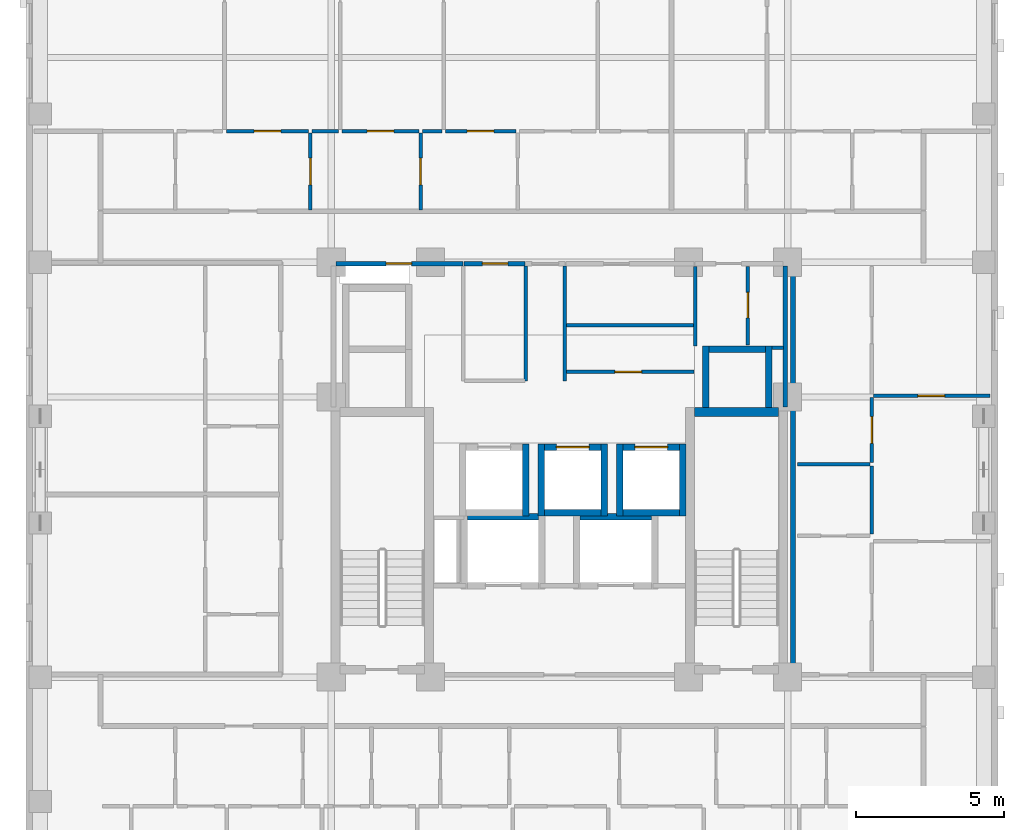
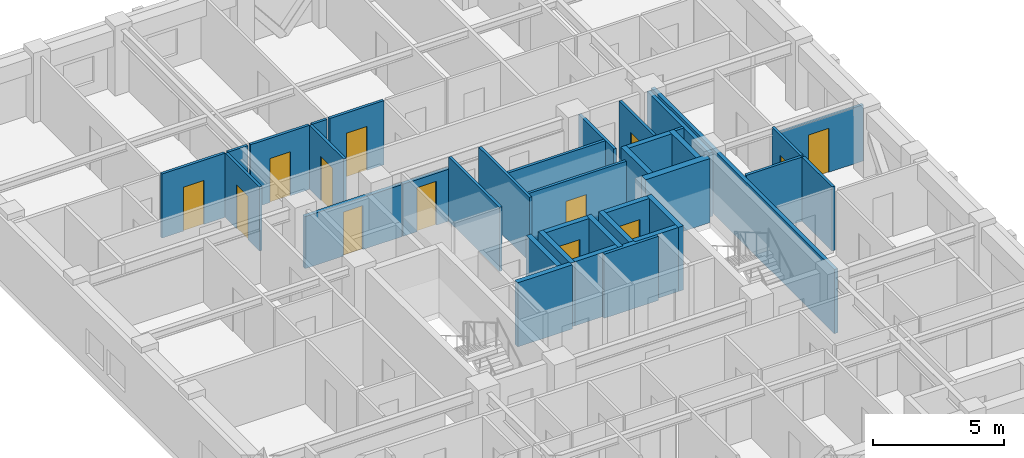
# One storey, part 6 of 12: 37 walls, 13 doors, 13 openings.
"""IFC4 building model written with IfcOpenShell, lengths in metres."""

from ifc_helpers import new_model, si_unit, derived_unit, direction, frame, frame_2d, origin, place, context, subcontext, project, spatial, rectangle, extrude, material, layer, layer_set, type_object, element, fill, save


model = new_model("IFC4")

# Units and contexts
model_context = context("Model", 3, precision=1e-05, world=origin(), true_north=direction((0.0, 1.0)))
body_context = subcontext(model_context, "Body", "Model", "MODEL_VIEW")
ifc_project = project(units=[si_unit("LENGTHUNIT", "METRE"), si_unit("AREAUNIT", "SQUARE_METRE"), si_unit("VOLUMEUNIT", "CUBIC_METRE"), si_unit("PLANEANGLEUNIT", "RADIAN"), si_unit("MASSUNIT", "GRAM", prefix="KILO"), derived_unit("THERMALTRANSMITTANCEUNIT", [(si_unit("MASSUNIT", "GRAM", prefix="KILO"), 1), (si_unit("TIMEUNIT", "SECOND"), -3), (si_unit("THERMODYNAMICTEMPERATUREUNIT", "KELVIN"), -1)])], contexts=[model_context])

# Site, building, storey
site_placement = place(None, origin())
site = spatial("IfcSite", under=ifc_project, at=site_placement, CompositionType="ELEMENT")
building_placement = place(site_placement, origin())
building = spatial("IfcBuilding", under=site, at=building_placement, Name="Korrvale Station Residences", CompositionType="ELEMENT")
storey_placement = place(building_placement, frame((0.0, 0.0, 130.89990234375)))
storey = spatial("IfcBuildingStorey", under=building, at=storey_placement, Name="L37", CompositionType="ELEMENT", Elevation=130.89990234375)

# Walls
ifc_material_1 = material(Name="Concrete C60/75", Category="concrete")
ifc_layer_1 = layer(ifc_material_1, 0.300048828125, Name="Concrete C60/75")
ifc_layer_set_1 = layer_set([ifc_layer_1], Name="Concrete C60/75")
wall_type_1 = type_object("IfcWallType", Name="WAL-CORE-300-C60", PredefinedType="SHEAR", material=ifc_layer_set_1)
wall_1_placement = place(storey_placement, frame((30.050048828125, 23.949951171875, 0.0), z_axis=(0.0, 0.0, 1.0), x_axis=(1.0, 0.0, 0.0)))
element("IfcWall", 1, at=wall_1_placement, inside=storey, type_object=wall_type_1, Name="L37 ST-2 Core Shear Wall North", PredefinedType="SHEAR", context=body_context, shape_type="SweptSolid", body=[
    extrude(rectangle(XDim=2.849853515625, YDim=0.300048828125, at=frame_2d((1.4248046875, 0.0))), origin(), (0.0, 0.0, 1.0), 2.989990234375),
])
ifc_material_2 = material(Name="Acoustic steel-stud gypsum board partition", Category="steel")
ifc_layer_2 = layer(ifc_material_2, 0.1201171875, Name="Acoustic steel-stud gypsum board partition")
ifc_layer_set_2 = layer_set([ifc_layer_2], Name="Acoustic steel-stud gypsum board partition")
wall_type_2 = type_object("IfcWallType", Name="WAL-PART-125", PredefinedType="PARTITIONING", material=ifc_layer_set_2)
for number, where, z_axis, x_axis, name in (
    (2, (24.360107421875, 25.0, 0.0), (0.0, 0.0, 1.0), (0.0, 1.0, 0.0), "L37 Core Partition CW-PSG-W"),
    (3, (25.679931640625, 25.0, 0.0), (0.0, 0.0, 1.0), (0.0, 1.0, 0.0), "L37 Core Partition CW-PSG-E"),
):
    element("IfcWall", number, at=place(storey_placement, frame(where, z_axis=z_axis, x_axis=x_axis)), inside=storey, type_object=wall_type_2, Name=name, PredefinedType="PARTITIONING", context=body_context, shape_type="SweptSolid", body=[
        extrude(rectangle(XDim=3.8701171875, YDim=0.1201171875, at=frame_2d((1.93505859375, 0.0))), origin(), (0.0, 0.0, 1.0), 2.989990234375),
    ])
wall_2_placement = place(storey_placement, frame((30.080078125, 26.179931640625, 0.0), z_axis=(0.0, 0.0, 1.0), x_axis=(0.0, 1.0, 0.0)))
element("IfcWall", 4, at=wall_2_placement, inside=storey, type_object=wall_type_2, Name="L37 Core Partition CW-CS-W", PredefinedType="PARTITIONING", context=body_context, shape_type="SweptSolid", body=[
    extrude(rectangle(XDim=2.68017578125, YDim=0.1201171875, at=frame_2d((1.340087890625, 0.0))), origin(), (0.0, 0.0, 1.0), 2.989990234375),
])
wall_3_placement = place(storey_placement, frame((32.679931640625, 26.1201171875, 0.0), z_axis=(0.0, 0.0, 1.0), x_axis=(1.0, 0.0, 0.0)))
element("IfcWall", 5, at=wall_3_placement, inside=storey, type_object=wall_type_2, Name="L37 Core Partition CW-CS-S", PredefinedType="PARTITIONING", context=body_context, shape_type="SweptSolid", body=[
    extrude(rectangle(XDim=0.380126953125, YDim=0.1201171875, at=frame_2d((0.18994140625, 0.0))), origin(), (0.0, 0.0, 1.0), 2.989990234375),
])

# Wall, opening, door
wall_4_placement = place(storey_placement, frame((31.860107421875, 26.199951171875, 0.0), z_axis=(0.0, 0.0, 1.0), x_axis=(0.0, 1.0, 0.0)))
wall_4 = element("IfcWall", 6, at=wall_4_placement, inside=storey, type_object=wall_type_2, Name="L37 Core Partition CW-CS-MID", PredefinedType="PARTITIONING", context=body_context, shape_type="SweptSolid", body=[
    extrude(rectangle(XDim=2.66015625, YDim=0.1201171875, at=frame_2d((1.330078125, 0.0))), origin(), (0.0, 0.0, 1.0), 2.989990234375),
])
opening_1_placement = place(wall_4_placement, frame((0.919921875, 0.0, 0.0)))
opening_1 = element("IfcOpeningElement", 7, at=opening_1_placement, cuts=wall_4, Name="Opening DB-860", PredefinedType="OPENING", context=body_context, shape_type="SweptSolid", body=[
    extrude(rectangle(XDim=0.860107421875, YDim=2.050048828125, at=frame_2d((0.43017578125, 1.02490234375))), frame((0.0, 0.070068359375, 0.0), z_axis=(0.0, -1.0, 0.0), x_axis=(1.0, 0.0, 0.0)), (0.0, 0.0, 1.0), 0.14013671875),
])
ifc_material_3 = material(Name="Moisture-resistant solid-core bathroom door", Category="timber")
door_type_1 = type_object("IfcDoorType", Name="DR-BATH-860", OperationType="NOTDEFINED", PredefinedType="DOOR", material=ifc_material_3)
door_1_placement = place(opening_1_placement, origin())
door_1 = element("IfcDoor", 8, at=door_1_placement, inside=storey, type_object=door_type_1, Name="L37 Metering Inner Door", OperationType="SINGLE_SWING_RIGHT", OverallHeight=2.050048828125, OverallWidth=0.860107421875, PredefinedType="DOOR", context=body_context, shape_type="SweptSolid", body=[
    extrude(rectangle(XDim=0.860107421875, YDim=2.050048828125, at=frame_2d((0.43017578125, 1.02490234375))), frame((0.0, 0.02490234375, 0.0), z_axis=(0.0, -1.0, 0.0), x_axis=(1.0, 0.0, 0.0)), (0.0, 0.0, 1.0), 0.050048828125),
])
fill(opening_1, door_1)

# Wall
wall_5_placement = place(storey_placement, frame((25.719970703125, 26.8798828125, 0.0), z_axis=(0.0, 0.0, 1.0), x_axis=(1.0, 0.0, 0.0)))
element("IfcWall", 9, at=wall_5_placement, inside=storey, type_object=wall_type_2, Name="L37 Core Partition CW-FPLE-H", PredefinedType="PARTITIONING", context=body_context, shape_type="SweptSolid", body=[
    extrude(rectangle(XDim=4.320068359375, YDim=0.1201171875, at=frame_2d((2.16015625, 0.0))), origin(), (0.0, 0.0, 1.0), 2.989990234375),
])

# Wall, opening, door
wall_6_placement = place(storey_placement, frame((25.719970703125, 25.300048828125, 0.0), z_axis=(0.0, 0.0, 1.0), x_axis=(1.0, 0.0, 0.0)))
wall_6 = element("IfcWall", 10, at=wall_6_placement, inside=storey, type_object=wall_type_2, Name="L37 Core Partition CW-FPLE-S", PredefinedType="PARTITIONING", context=body_context, shape_type="SweptSolid", body=[
    extrude(rectangle(XDim=4.320068359375, YDim=0.1201171875, at=frame_2d((2.16015625, 0.0))), origin(), (0.0, 0.0, 1.0), 2.989990234375),
])
opening_2_placement = place(wall_6_placement, frame((1.64990234375, 0.0, 0.0)))
opening_2 = element("IfcOpeningElement", 11, at=opening_2_placement, cuts=wall_6, Name="Opening DI-900", PredefinedType="OPENING", context=body_context, shape_type="SweptSolid", body=[
    extrude(rectangle(XDim=0.89990234375, YDim=2.050048828125, at=frame_2d((0.449951171875, 1.02490234375))), frame((0.0, 0.070068359375, 0.0), z_axis=(0.0, -1.0, 0.0), x_axis=(1.0, 0.0, 0.0)), (0.0, 0.0, 1.0), 0.14013671875),
])
ifc_material_4 = material(Name="Painted solid-core timber interior room door", Category="wood")
door_type_2 = type_object("IfcDoorType", Name="DR-INT-900", OperationType="NOTDEFINED", PredefinedType="DOOR", material=ifc_material_4)
door_2_placement = place(opening_2_placement, origin())
door_2 = element("IfcDoor", 12, at=door_2_placement, inside=storey, type_object=door_type_2, Name="L37 Housekeeping Linen Door", OperationType="SINGLE_SWING_LEFT", OverallHeight=2.050048828125, OverallWidth=0.89990234375, PredefinedType="DOOR", context=body_context, shape_type="SweptSolid", body=[
    extrude(rectangle(XDim=0.89990234375, YDim=2.050048828125, at=frame_2d((0.449951171875, 1.02490234375))), frame((0.0, 0.02490234375, 0.0), z_axis=(0.0, -1.0, 0.0), x_axis=(1.0, 0.0, 0.0)), (0.0, 0.0, 1.0), 0.050048828125),
])
fill(opening_2, door_2)

wall_7_placement = place(storey_placement, frame((17.10009765625, 30.760009765625, 0.0), z_axis=(0.0, 0.0, 1.0), x_axis=(0.0, 1.0, 0.0)))
wall_7 = element("IfcWall", 13, at=wall_7_placement, inside=storey, type_object=wall_type_2, Name="L37 Suite Partition U02-V12", PredefinedType="PARTITIONING", context=body_context, shape_type="SweptSolid", body=[
    extrude(rectangle(XDim=2.60009765625, YDim=0.1201171875, at=frame_2d((1.300048828125, 0.0))), origin(), (0.0, 0.0, 1.0), 2.989990234375),
])
opening_3_placement = place(wall_7_placement, frame((0.85009765625, 0.0, 0.0)))
opening_3 = element("IfcOpeningElement", 14, at=opening_3_placement, cuts=wall_7, Name="Opening DI-900", PredefinedType="OPENING", context=body_context, shape_type="SweptSolid", body=[
    extrude(rectangle(XDim=0.89990234375, YDim=2.050048828125, at=frame_2d((0.449951171875, 1.02490234375))), frame((0.0, 0.070068359375, 0.0), z_axis=(0.0, -1.0, 0.0), x_axis=(1.0, 0.0, 0.0)), (0.0, 0.0, 1.0), 0.14013671875),
])
door_3_placement = place(opening_3_placement, origin())
door_3 = element("IfcDoor", 15, at=door_3_placement, inside=storey, type_object=door_type_2, Name="L37 Apartment 1BR L37-U02 Kitchen Door", OperationType="SINGLE_SWING_LEFT", OverallHeight=2.050048828125, OverallWidth=0.89990234375, PredefinedType="DOOR", context=body_context, shape_type="SweptSolid", body=[
    extrude(rectangle(XDim=0.89990234375, YDim=2.050048828125, at=frame_2d((0.449951171875, 1.02490234375))), frame((0.0, 0.02490234375, 0.0), z_axis=(0.0, -1.0, 0.0), x_axis=(1.0, 0.0, 0.0)), (0.0, 0.0, 1.0), 0.050048828125),
])
fill(opening_3, door_3)

wall_8_placement = place(storey_placement, frame((14.260009765625, 33.419921875, 0.0), z_axis=(0.0, 0.0, 1.0), x_axis=(1.0, 0.0, 0.0)))
wall_8 = element("IfcWall", 16, at=wall_8_placement, inside=storey, type_object=wall_type_2, Name="L37 Suite Partition U02-H16", PredefinedType="PARTITIONING", context=body_context, shape_type="SweptSolid", body=[
    extrude(rectangle(XDim=2.780029296875, YDim=0.1201171875, at=frame_2d((1.39013671875, 0.0))), origin(), (0.0, 0.0, 1.0), 2.989990234375),
])
opening_4_placement = place(wall_8_placement, frame((0.93994140625, 0.0, 0.0)))
opening_4 = element("IfcOpeningElement", 17, at=opening_4_placement, cuts=wall_8, Name="Opening DI-900", PredefinedType="OPENING", context=body_context, shape_type="SweptSolid", body=[
    extrude(rectangle(XDim=0.89990234375, YDim=2.050048828125, at=frame_2d((0.449951171875, 1.02490234375))), frame((0.0, 0.070068359375, 0.0), z_axis=(0.0, -1.0, 0.0), x_axis=(1.0, 0.0, 0.0)), (0.0, 0.0, 1.0), 0.14013671875),
])
door_4_placement = place(opening_4_placement, origin())
door_4 = element("IfcDoor", 18, at=door_4_placement, inside=storey, type_object=door_type_2, Name="L37 Apartment 1BR L37-U02 Kitchen Door", OperationType="SINGLE_SWING_LEFT", OverallHeight=2.050048828125, OverallWidth=0.89990234375, PredefinedType="DOOR", context=body_context, shape_type="SweptSolid", body=[
    extrude(rectangle(XDim=0.89990234375, YDim=2.050048828125, at=frame_2d((0.449951171875, 1.02490234375))), frame((0.0, 0.02490234375, 0.0), z_axis=(0.0, -1.0, 0.0), x_axis=(1.0, 0.0, 0.0)), (0.0, 0.0, 1.0), 0.050048828125),
])
fill(opening_4, door_4)

wall_9_placement = place(storey_placement, frame((20.820068359375, 30.760009765625, 0.0), z_axis=(0.0, 0.0, 1.0), x_axis=(0.0, 1.0, 0.0)))
wall_9 = element("IfcWall", 19, at=wall_9_placement, inside=storey, type_object=wall_type_2, Name="L37 Suite Partition U02-V23", PredefinedType="PARTITIONING", context=body_context, shape_type="SweptSolid", body=[
    extrude(rectangle(XDim=2.60009765625, YDim=0.1201171875, at=frame_2d((1.300048828125, 0.0))), origin(), (0.0, 0.0, 1.0), 2.989990234375),
])
opening_5_placement = place(wall_9_placement, frame((0.85009765625, 0.0, 0.0)))
opening_5 = element("IfcOpeningElement", 20, at=opening_5_placement, cuts=wall_9, Name="Opening DI-900", PredefinedType="OPENING", context=body_context, shape_type="SweptSolid", body=[
    extrude(rectangle(XDim=0.89990234375, YDim=2.050048828125, at=frame_2d((0.449951171875, 1.02490234375))), frame((0.0, 0.070068359375, 0.0), z_axis=(0.0, -1.0, 0.0), x_axis=(1.0, 0.0, 0.0)), (0.0, 0.0, 1.0), 0.14013671875),
])
door_5_placement = place(opening_5_placement, origin())
door_5 = element("IfcDoor", 21, at=door_5_placement, inside=storey, type_object=door_type_2, Name="L37 Apartment 1BR L37-U02 Utility and Laundry Room Door", OperationType="SINGLE_SWING_RIGHT", OverallHeight=2.050048828125, OverallWidth=0.89990234375, PredefinedType="DOOR", context=body_context, shape_type="SweptSolid", body=[
    extrude(rectangle(XDim=0.89990234375, YDim=2.050048828125, at=frame_2d((0.449951171875, 1.02490234375))), frame((0.0, 0.02490234375, 0.0), z_axis=(0.0, -1.0, 0.0), x_axis=(1.0, 0.0, 0.0)), (0.0, 0.0, 1.0), 0.050048828125),
])
fill(opening_5, door_5)

# Wall
wall_10_placement = place(storey_placement, frame((17.159912109375, 33.419921875, 0.0), z_axis=(0.0, 0.0, 1.0), x_axis=(1.0, 0.0, 0.0)))
element("IfcWall", 22, at=wall_10_placement, inside=storey, type_object=wall_type_2, Name="L37 Suite Partition U02-H26", PredefinedType="PARTITIONING", context=body_context, shape_type="SweptSolid", body=[
    extrude(rectangle(XDim=0.885009765625, YDim=0.1201171875, at=frame_2d((0.4423828125, 0.0))), origin(), (0.0, 0.0, 1.0), 2.989990234375),
])

# Wall, opening, door
wall_11_placement = place(storey_placement, frame((18.1650390625, 33.419921875, 0.0), z_axis=(0.0, 0.0, 1.0), x_axis=(1.0, 0.0, 0.0)))
wall_11 = element("IfcWall", 23, at=wall_11_placement, inside=storey, type_object=wall_type_2, Name="L37 Suite Partition U02-H27", PredefinedType="PARTITIONING", context=body_context, shape_type="SweptSolid", body=[
    extrude(rectangle(XDim=2.594970703125, YDim=0.1201171875, at=frame_2d((1.29736328125, 0.0))), origin(), (0.0, 0.0, 1.0), 2.989990234375),
])
opening_6_placement = place(wall_11_placement, frame((0.846923828125, 0.0, 0.0)))
opening_6 = element("IfcOpeningElement", 24, at=opening_6_placement, cuts=wall_11, Name="Opening DI-900", PredefinedType="OPENING", context=body_context, shape_type="SweptSolid", body=[
    extrude(rectangle(XDim=0.89990234375, YDim=2.050048828125, at=frame_2d((0.449951171875, 1.02490234375))), frame((0.0, 0.070068359375, 0.0), z_axis=(0.0, -1.0, 0.0), x_axis=(1.0, 0.0, 0.0)), (0.0, 0.0, 1.0), 0.14013671875),
])
door_6_placement = place(opening_6_placement, origin())
door_6 = element("IfcDoor", 25, at=door_6_placement, inside=storey, type_object=door_type_2, Name="L37 Apartment 1BR L37-U02 Utility and Laundry Room Door", OperationType="SINGLE_SWING_LEFT", OverallHeight=2.050048828125, OverallWidth=0.89990234375, PredefinedType="DOOR", context=body_context, shape_type="SweptSolid", body=[
    extrude(rectangle(XDim=0.89990234375, YDim=2.050048828125, at=frame_2d((0.449951171875, 1.02490234375))), frame((0.0, 0.02490234375, 0.0), z_axis=(0.0, -1.0, 0.0), x_axis=(1.0, 0.0, 0.0)), (0.0, 0.0, 1.0), 0.050048828125),
])
fill(opening_6, door_6)

# Wall
wall_12_placement = place(storey_placement, frame((20.8798828125, 33.419921875, 0.0), z_axis=(0.0, 0.0, 1.0), x_axis=(1.0, 0.0, 0.0)))
element("IfcWall", 26, at=wall_12_placement, inside=storey, type_object=wall_type_2, Name="L37 Suite Partition U02-H37", PredefinedType="PARTITIONING", context=body_context, shape_type="SweptSolid", body=[
    extrude(rectangle(XDim=0.650146484375, YDim=0.1201171875, at=frame_2d((0.3251953125, 0.0))), origin(), (0.0, 0.0, 1.0), 2.989990234375),
])

# Wall, opening, door
wall_13_placement = place(storey_placement, frame((21.64990234375, 33.419921875, 0.0), z_axis=(0.0, 0.0, 1.0), x_axis=(1.0, 0.0, 0.0)))
wall_13 = element("IfcWall", 27, at=wall_13_placement, inside=storey, type_object=wall_type_2, Name="L37 Suite Partition U02-H38", PredefinedType="PARTITIONING", context=body_context, shape_type="SweptSolid", body=[
    extrude(rectangle(XDim=2.380126953125, YDim=0.1201171875, at=frame_2d((1.18994140625, 0.0))), origin(), (0.0, 0.0, 1.0), 2.989990234375),
])
opening_7_placement = place(wall_13_placement, frame((0.739990234375, 0.0, 0.0)))
opening_7 = element("IfcOpeningElement", 28, at=opening_7_placement, cuts=wall_13, Name="Opening DI-900", PredefinedType="OPENING", context=body_context, shape_type="SweptSolid", body=[
    extrude(rectangle(XDim=0.89990234375, YDim=2.050048828125, at=frame_2d((0.449951171875, 1.02490234375))), frame((0.0, 0.070068359375, 0.0), z_axis=(0.0, -1.0, 0.0), x_axis=(1.0, 0.0, 0.0)), (0.0, 0.0, 1.0), 0.14013671875),
])
door_7_placement = place(opening_7_placement, origin())
door_7 = element("IfcDoor", 29, at=door_7_placement, inside=storey, type_object=door_type_2, Name="L37 Apartment 1BR L37-U02 Storage Closet 2 Door", OperationType="SINGLE_SWING_LEFT", OverallHeight=2.050048828125, OverallWidth=0.89990234375, PredefinedType="DOOR", context=body_context, shape_type="SweptSolid", body=[
    extrude(rectangle(XDim=0.89990234375, YDim=2.050048828125, at=frame_2d((0.449951171875, 1.02490234375))), frame((0.0, 0.02490234375, 0.0), z_axis=(0.0, -1.0, 0.0), x_axis=(1.0, 0.0, 0.0)), (0.0, 0.0, 1.0), 0.050048828125),
])
fill(opening_7, door_7)

# Wall
wall_14_placement = place(storey_placement, frame((33.530029296875, 22.18994140625, 0.0), z_axis=(0.0, 0.0, 1.0), x_axis=(1.0, 0.0, 0.0)))
element("IfcWall", 30, at=wall_14_placement, inside=storey, type_object=wall_type_2, Name="L37 Suite Partition U06-H01", PredefinedType="PARTITIONING", context=body_context, shape_type="SweptSolid", body=[
    extrude(rectangle(XDim=2.449951171875, YDim=0.1201171875, at=frame_2d((1.22509765625, 0.0))), origin(), (0.0, 0.0, 1.0), 2.989990234375),
])

# Wall, opening, door
wall_15_placement = place(storey_placement, frame((36.0400390625, 22.25, 0.0), z_axis=(0.0, 0.0, 1.0), x_axis=(0.0, 1.0, 0.0)))
wall_15 = element("IfcWall", 31, at=wall_15_placement, inside=storey, type_object=wall_type_2, Name="L37 Suite Partition U06-V04", PredefinedType="PARTITIONING", context=body_context, shape_type="SweptSolid", body=[
    extrude(rectangle(XDim=2.181884765625, YDim=0.1201171875, at=frame_2d((1.0908203125, 0.0))), origin(), (0.0, 0.0, 1.0), 2.989990234375),
])
opening_8_placement = place(wall_15_placement, frame((0.64111328125, 0.0, 0.0)))
opening_8 = element("IfcOpeningElement", 32, at=opening_8_placement, cuts=wall_15, Name="Opening DI-900", PredefinedType="OPENING", context=body_context, shape_type="SweptSolid", body=[
    extrude(rectangle(XDim=0.89990234375, YDim=2.050048828125, at=frame_2d((0.449951171875, 1.02490234375))), frame((0.0, 0.070068359375, 0.0), z_axis=(0.0, -1.0, 0.0), x_axis=(1.0, 0.0, 0.0)), (0.0, 0.0, 1.0), 0.14013671875),
])
door_8_placement = place(opening_8_placement, origin())
door_8 = element("IfcDoor", 33, at=door_8_placement, inside=storey, type_object=door_type_2, Name="L37 Apartment 2BR L37-U06 Wardrobe Storage Room Door", OperationType="SINGLE_SWING_RIGHT", OverallHeight=2.050048828125, OverallWidth=0.89990234375, PredefinedType="DOOR", context=body_context, shape_type="SweptSolid", body=[
    extrude(rectangle(XDim=0.89990234375, YDim=2.050048828125, at=frame_2d((0.449951171875, 1.02490234375))), frame((0.0, 0.02490234375, 0.0), z_axis=(0.0, -1.0, 0.0), x_axis=(1.0, 0.0, 0.0)), (0.0, 0.0, 1.0), 0.050048828125),
])
fill(opening_8, door_8)

# Wall
wall_16_placement = place(storey_placement, frame((36.0400390625, 19.830078125, 0.0), z_axis=(0.0, 0.0, 1.0), x_axis=(0.0, 1.0, 0.0)))
element("IfcWall", 34, at=wall_16_placement, inside=storey, type_object=wall_type_2, Name="L37 Suite Partition U06-V14", PredefinedType="PARTITIONING", context=body_context, shape_type="SweptSolid", body=[
    extrude(rectangle(XDim=2.2998046875, YDim=0.1201171875, at=frame_2d((1.14990234375, 0.0))), origin(), (0.0, 0.0, 1.0), 2.989990234375),
])

# Wall, opening, door
wall_17_placement = place(storey_placement, frame((36.10009765625, 24.491943359375, 0.0), z_axis=(0.0, 0.0, 1.0), x_axis=(1.0, 0.0, 0.0)))
wall_17 = element("IfcWall", 35, at=wall_17_placement, inside=storey, type_object=wall_type_2, Name="L37 Suite Partition U06-H45", PredefinedType="PARTITIONING", context=body_context, shape_type="SweptSolid", body=[
    extrude(rectangle(XDim=3.919921875, YDim=0.1201171875, at=frame_2d((1.9599609375, 0.0))), origin(), (0.0, 0.0, 1.0), 2.62109375),
])
opening_9_placement = place(wall_17_placement, frame((1.4951171875, 0.0, 0.0)))
opening_9 = element("IfcOpeningElement", 36, at=opening_9_placement, cuts=wall_17, Name="Opening DI-900", PredefinedType="OPENING", context=body_context, shape_type="SweptSolid", body=[
    extrude(rectangle(XDim=0.89990234375, YDim=2.050048828125, at=frame_2d((0.449951171875, 1.02490234375))), frame((0.0, 0.070068359375, 0.0), z_axis=(0.0, -1.0, 0.0), x_axis=(1.0, 0.0, 0.0)), (0.0, 0.0, 1.0), 0.14013671875),
])
door_9_placement = place(opening_9_placement, origin())
door_9 = element("IfcDoor", 37, at=door_9_placement, inside=storey, type_object=door_type_2, Name="L37 Apartment 2BR L37-U06 Living and Dining Room Door", OperationType="SINGLE_SWING_LEFT", OverallHeight=2.050048828125, OverallWidth=0.89990234375, PredefinedType="DOOR", context=body_context, shape_type="SweptSolid", body=[
    extrude(rectangle(XDim=0.89990234375, YDim=2.050048828125, at=frame_2d((0.449951171875, 1.02490234375))), frame((0.0, 0.02490234375, 0.0), z_axis=(0.0, -1.0, 0.0), x_axis=(1.0, 0.0, 0.0)), (0.0, 0.0, 1.0), 0.050048828125),
])
fill(opening_9, door_9)

# Wall
ifc_material_5 = material(Name="Fire-rated twin-stud gypsum and mineral wool shaftwall assembly", Category="gypsum")
ifc_layer_3 = layer(ifc_material_5, 0.159912109375, Name="Fire-rated twin-stud gypsum and mineral wool shaftwall assembly")
ifc_layer_set_3 = layer_set([ifc_layer_3], Name="Fire-rated twin-stud gypsum and mineral wool shaftwall assembly")
wall_type_3 = type_object("IfcWallType", Name="WAL-PART-200", PredefinedType="PARTITIONING", material=ifc_layer_set_3)
wall_18_placement = place(storey_placement, frame((33.1201171875, 24.1201171875, 0.0), z_axis=(0.0, 0.0, 1.0), x_axis=(0.0, 1.0, 0.0)))
element("IfcWall", 38, at=wall_18_placement, inside=storey, type_object=wall_type_3, Name="L37 Core Partition CW-E-N", PredefinedType="PARTITIONING", context=body_context, shape_type="SweptSolid", body=[
    extrude(rectangle(XDim=4.759765625, YDim=0.159912109375, at=frame_2d((2.3798828125, 0.0))), origin(), (0.0, 0.0, 1.0), 2.989990234375),
])

# Wall, opening, door
wall_19_placement = place(storey_placement, frame((17.9599609375, 28.949951171875, 0.0), z_axis=(0.0, 0.0, 1.0), x_axis=(1.0, 0.0, 0.0)))
wall_19 = element("IfcWall", 39, at=wall_19_placement, inside=storey, type_object=wall_type_3, Name="L37 Core Partition CW-NW", PredefinedType="PARTITIONING", context=body_context, shape_type="SweptSolid", body=[
    extrude(rectangle(XDim=4.2900390625, YDim=0.159912109375, at=frame_2d((2.14501953125, 0.0))), origin(), (0.0, 0.0, 1.0), 2.426025390625),
])
opening_10_placement = place(wall_19_placement, frame((1.695068359375, 0.0, 0.0)))
opening_10 = element("IfcOpeningElement", 40, at=opening_10_placement, cuts=wall_19, Name="Opening DB-860", PredefinedType="OPENING", context=body_context, shape_type="SweptSolid", body=[
    extrude(rectangle(XDim=0.860107421875, YDim=2.050048828125, at=frame_2d((0.43017578125, 1.02490234375))), frame((0.0, 0.08984375, 0.0), z_axis=(0.0, -1.0, 0.0), x_axis=(1.0, 0.0, 0.0)), (0.0, 0.0, 1.0), 0.179931640625),
])
door_10_placement = place(opening_10_placement, origin())
door_10 = element("IfcDoor", 41, at=door_10_placement, inside=storey, type_object=door_type_1, Name="L37 Electrical Riser Access Door", OperationType="SINGLE_SWING_LEFT", OverallHeight=2.050048828125, OverallWidth=0.860107421875, PredefinedType="DOOR", context=body_context, shape_type="SweptSolid", body=[
    extrude(rectangle(XDim=0.860107421875, YDim=2.050048828125, at=frame_2d((0.43017578125, 1.02490234375))), frame((0.0, 0.02490234375, 0.0), z_axis=(0.0, -1.0, 0.0), x_axis=(1.0, 0.0, 0.0)), (0.0, 0.0, 1.0), 0.050048828125),
])
fill(opening_10, door_10)

wall_20_placement = place(storey_placement, frame((22.280029296875, 28.949951171875, 0.0), z_axis=(0.0, 0.0, 1.0), x_axis=(1.0, 0.0, 0.0)))
wall_20 = element("IfcWall", 42, at=wall_20_placement, inside=storey, type_object=wall_type_3, Name="L37 Core Partition CW-FPLW-N", PredefinedType="PARTITIONING", context=body_context, shape_type="SweptSolid", body=[
    extrude(rectangle(XDim=2.06005859375, YDim=0.159912109375, at=frame_2d((1.030029296875, 0.0))), origin(), (0.0, 0.0, 1.0), 2.426025390625),
])
opening_11_placement = place(wall_20_placement, frame((0.6201171875, 0.0, 0.0)))
opening_11 = element("IfcOpeningElement", 43, at=opening_11_placement, cuts=wall_20, Name="Opening DB-860", PredefinedType="OPENING", context=body_context, shape_type="SweptSolid", body=[
    extrude(rectangle(XDim=0.860107421875, YDim=2.050048828125, at=frame_2d((0.43017578125, 1.02490234375))), frame((0.0, 0.08984375, 0.0), z_axis=(0.0, -1.0, 0.0), x_axis=(1.0, 0.0, 0.0)), (0.0, 0.0, 1.0), 0.179931640625),
])
door_11_placement = place(opening_11_placement, origin())
door_11 = element("IfcDoor", 44, at=door_11_placement, inside=storey, type_object=door_type_1, Name="L37 Resident Parcel Room Door", OperationType="SINGLE_SWING_RIGHT", OverallHeight=2.050048828125, OverallWidth=0.860107421875, PredefinedType="DOOR", context=body_context, shape_type="SweptSolid", body=[
    extrude(rectangle(XDim=0.860107421875, YDim=2.050048828125, at=frame_2d((0.43017578125, 1.02490234375))), frame((0.0, 0.02490234375, 0.0), z_axis=(0.0, -1.0, 0.0), x_axis=(1.0, 0.0, 0.0)), (0.0, 0.0, 1.0), 0.050048828125),
])
fill(opening_11, door_11)

# Walls
wall_21_placement = place(storey_placement, frame((33.3798828125, 15.02001953125, 0.0), z_axis=(0.0, 0.0, 1.0), x_axis=(0.0, 1.0, 0.0)))
element("IfcWall", 45, at=wall_21_placement, inside=storey, type_object=wall_type_3, Name="L37 Rated Corridor Wall E", PredefinedType="PARTITIONING", context=body_context, shape_type="SweptSolid", body=[
    extrude(rectangle(XDim=13.97998046875, YDim=0.159912109375, at=frame_2d((6.989990234375, 0.0))), origin(), (0.0, 0.0, 1.0), 2.989990234375),
])
ifc_layer_4 = layer(ifc_material_1, 0.219970703125, Name="Concrete C60/75")
ifc_layer_set_4 = layer_set([ifc_layer_4], Name="Concrete C60/75")
wall_type_4 = type_object("IfcWallType", Name="WAL-SHAFT-220-C60", PredefinedType="SHEAR", material=ifc_layer_set_4)
wall_22_placement = place(storey_placement, frame((24.360107421875, 20.429931640625, 0.0), z_axis=(0.0, 0.0, 1.0), x_axis=(0.0, 1.0, 0.0)))
element("IfcWall", 46, at=wall_22_placement, inside=storey, type_object=wall_type_4, Name="L37 Elevator PM-1 Hoistway Wall East", PredefinedType="SHEAR", context=body_context, shape_type="SweptSolid", body=[
    extrude(rectangle(XDim=2.440185546875, YDim=0.219970703125, at=frame_2d((1.22021484375, 0.0))), origin(), (0.0, 0.0, 1.0), 2.989990234375),
])
wall_23_placement = place(storey_placement, frame((25.0, 20.5400390625, 0.0), z_axis=(0.0, 0.0, 1.0), x_axis=(1.0, 0.0, 0.0)))
element("IfcWall", 47, at=wall_23_placement, inside=storey, type_object=wall_type_4, Name="L37 Elevator PM-2 Hoistway Wall South", PredefinedType="SHEAR", context=body_context, shape_type="SweptSolid", body=[
    extrude(rectangle(XDim=1.89990234375, YDim=0.219970703125, at=frame_2d((0.949951171875, 0.0))), origin(), (0.0, 0.0, 1.0), 2.989990234375),
])

# Wall, opening, door
wall_24_placement = place(storey_placement, frame((25.0, 22.760009765625, 0.0), z_axis=(0.0, 0.0, 1.0), x_axis=(1.0, 0.0, 0.0)))
wall_24 = element("IfcWall", 48, at=wall_24_placement, inside=storey, type_object=wall_type_4, Name="L37 Elevator PM-2 Hoistway Wall North", PredefinedType="SHEAR", context=body_context, shape_type="SweptSolid", body=[
    extrude(rectangle(XDim=1.89990234375, YDim=0.219970703125, at=frame_2d((0.949951171875, 0.0))), origin(), (0.0, 0.0, 1.0), 2.989990234375),
])
opening_12_placement = place(wall_24_placement, frame((0.39990234375, 0.0, 0.0)))
opening_12 = element("IfcOpeningElement", 49, at=opening_12_placement, cuts=wall_24, Name="Opening LD-1100", PredefinedType="OPENING", context=body_context, shape_type="SweptSolid", body=[
    extrude(rectangle(XDim=1.10009765625, YDim=2.14990234375, at=frame_2d((0.550048828125, 1.074951171875))), frame((0.0, 0.1201171875, 0.0), z_axis=(0.0, -1.0, 0.0), x_axis=(1.0, 0.0, 0.0)), (0.0, 0.0, 1.0), 0.239990234375),
])
ifc_material_6 = material(Name="Brushed stainless-steel elevator landing sliding door", Category="steel")
door_type_3 = type_object("IfcDoorType", Name="DR-LIFT-1100", OperationType="SLIDING_TO_LEFT", PredefinedType="DOOR", material=ifc_material_6)
door_12_placement = place(opening_12_placement, origin())
door_12 = element("IfcDoor", 50, at=door_12_placement, inside=storey, type_object=door_type_3, Name="L37 Elevator PM-2 Sliding Landing Door", OperationType="SLIDING_TO_LEFT", OverallHeight=2.14990234375, OverallWidth=1.10009765625, PredefinedType="DOOR", context=body_context, shape_type="SweptSolid", body=[
    extrude(rectangle(XDim=1.10009765625, YDim=2.14990234375, at=frame_2d((0.550048828125, 1.074951171875))), frame((0.0, 0.02490234375, 0.0), z_axis=(0.0, -1.0, 0.0), x_axis=(1.0, 0.0, 0.0)), (0.0, 0.0, 1.0), 0.050048828125),
])
fill(opening_12, door_12)

# Walls
for number, where, z_axis, x_axis, name in (
    (51, (24.889892578125, 20.429931640625, 0.0), (0.0, 0.0, 1.0), (0.0, 1.0, 0.0), "L37 Elevator PM-2 Hoistway Wall West"),
    (52, (27.010009765625, 20.429931640625, 0.0), (0.0, 0.0, 1.0), (0.0, 1.0, 0.0), "L37 Elevator PM-2 Hoistway Wall East"),
):
    element("IfcWall", number, at=place(storey_placement, frame(where, z_axis=z_axis, x_axis=x_axis)), inside=storey, type_object=wall_type_4, Name=name, PredefinedType="SHEAR", context=body_context, shape_type="SweptSolid", body=[
        extrude(rectangle(XDim=2.440185546875, YDim=0.219970703125, at=frame_2d((1.22021484375, 0.0))), origin(), (0.0, 0.0, 1.0), 2.989990234375),
    ])
wall_25_placement = place(storey_placement, frame((27.64990234375, 20.5400390625, 0.0), z_axis=(0.0, 0.0, 1.0), x_axis=(1.0, 0.0, 0.0)))
element("IfcWall", 53, at=wall_25_placement, inside=storey, type_object=wall_type_4, Name="L37 Elevator PM-3 Hoistway Wall South", PredefinedType="SHEAR", context=body_context, shape_type="SweptSolid", body=[
    extrude(rectangle(XDim=1.900146484375, YDim=0.219970703125, at=frame_2d((0.9501953125, 0.0))), origin(), (0.0, 0.0, 1.0), 2.989990234375),
])

# Wall, opening, door
wall_26_placement = place(storey_placement, frame((27.64990234375, 22.760009765625, 0.0), z_axis=(0.0, 0.0, 1.0), x_axis=(1.0, 0.0, 0.0)))
wall_26 = element("IfcWall", 54, at=wall_26_placement, inside=storey, type_object=wall_type_4, Name="L37 Elevator PM-3 Hoistway Wall North", PredefinedType="SHEAR", context=body_context, shape_type="SweptSolid", body=[
    extrude(rectangle(XDim=1.900146484375, YDim=0.219970703125, at=frame_2d((0.9501953125, 0.0))), origin(), (0.0, 0.0, 1.0), 2.989990234375),
])
opening_13_placement = place(wall_26_placement, frame((0.39990234375, 0.0, 0.0)))
opening_13 = element("IfcOpeningElement", 55, at=opening_13_placement, cuts=wall_26, Name="Opening LD-1100", PredefinedType="OPENING", context=body_context, shape_type="SweptSolid", body=[
    extrude(rectangle(XDim=1.10009765625, YDim=2.14990234375, at=frame_2d((0.550048828125, 1.074951171875))), frame((0.0, 0.1201171875, 0.0), z_axis=(0.0, -1.0, 0.0), x_axis=(1.0, 0.0, 0.0)), (0.0, 0.0, 1.0), 0.239990234375),
])
door_13_placement = place(opening_13_placement, origin())
door_13 = element("IfcDoor", 56, at=door_13_placement, inside=storey, type_object=door_type_3, Name="L37 Elevator PM-3 Sliding Landing Door", OperationType="SLIDING_TO_LEFT", OverallHeight=2.14990234375, OverallWidth=1.10009765625, PredefinedType="DOOR", context=body_context, shape_type="SweptSolid", body=[
    extrude(rectangle(XDim=1.10009765625, YDim=2.14990234375, at=frame_2d((0.550048828125, 1.074951171875))), frame((0.0, 0.02490234375, 0.0), z_axis=(0.0, -1.0, 0.0), x_axis=(1.0, 0.0, 0.0)), (0.0, 0.0, 1.0), 0.050048828125),
])
fill(opening_13, door_13)

# Walls
for number, where, z_axis, x_axis, name in (
    (57, (27.5400390625, 20.429931640625, 0.0), (0.0, 0.0, 1.0), (0.0, 1.0, 0.0), "L37 Elevator PM-3 Hoistway Wall West"),
    (58, (29.659912109375, 20.429931640625, 0.0), (0.0, 0.0, 1.0), (0.0, 1.0, 0.0), "L37 Elevator PM-3 Hoistway Wall East"),
):
    element("IfcWall", number, at=place(storey_placement, frame(where, z_axis=z_axis, x_axis=x_axis)), inside=storey, type_object=wall_type_4, Name=name, PredefinedType="SHEAR", context=body_context, shape_type="SweptSolid", body=[
        extrude(rectangle(XDim=2.440185546875, YDim=0.219970703125, at=frame_2d((1.22021484375, 0.0))), origin(), (0.0, 0.0, 1.0), 2.989990234375),
    ])
wall_27_placement = place(storey_placement, frame((30.550048828125, 26.06005859375, 0.0), z_axis=(0.0, 0.0, 1.0), x_axis=(1.0, 0.0, 0.0)))
element("IfcWall", 59, at=wall_27_placement, inside=storey, type_object=wall_type_4, Name="L37 Elevator PH-3 Hoistway Wall North", PredefinedType="SHEAR", context=body_context, shape_type="SweptSolid", body=[
    extrude(rectangle(XDim=1.89990234375, YDim=0.219970703125, at=frame_2d((0.949951171875, 0.0))), origin(), (0.0, 0.0, 1.0), 2.989990234375),
])
for number, where, z_axis, x_axis, name in (
    (60, (30.43994140625, 24.10009765625, 0.0), (0.0, 0.0, 1.0), (0.0, 1.0, 0.0), "L37 Elevator PH-3 Hoistway Wall West"),
    (61, (32.56005859375, 24.10009765625, 0.0), (0.0, 0.0, 1.0), (0.0, 1.0, 0.0), "L37 Elevator PH-3 Hoistway Wall East"),
):
    element("IfcWall", number, at=place(storey_placement, frame(where, z_axis=z_axis, x_axis=x_axis)), inside=storey, type_object=wall_type_4, Name=name, PredefinedType="SHEAR", context=body_context, shape_type="SweptSolid", body=[
        extrude(rectangle(XDim=2.06982421875, YDim=0.219970703125, at=frame_2d((1.034912109375, 0.0))), origin(), (0.0, 0.0, 1.0), 2.989990234375),
    ])
for number, where, z_axis, x_axis, name in (
    (62, (22.39990234375, 20.409912109375, 0.0), (0.0, 0.0, 1.0), (1.0, 0.0, 0.0), "L37 Elevator FFL-1 Hoistway Wall North"),
    (63, (26.199951171875, 20.409912109375, 0.0), (0.0, 0.0, 1.0), (1.0, 0.0, 0.0), "L37 Elevator FFL-2 Hoistway Wall North"),
):
    element("IfcWall", number, at=place(storey_placement, frame(where, z_axis=z_axis, x_axis=x_axis)), inside=storey, type_object=wall_type_4, Name=name, PredefinedType="SHEAR", context=body_context, shape_type="SweptSolid", body=[
        extrude(rectangle(XDim=2.400146484375, YDim=0.219970703125, at=frame_2d((1.2001953125, 0.0))), origin(), (0.0, 0.0, 1.0), 2.989990234375),
    ])

save(model, "model.ifc")
